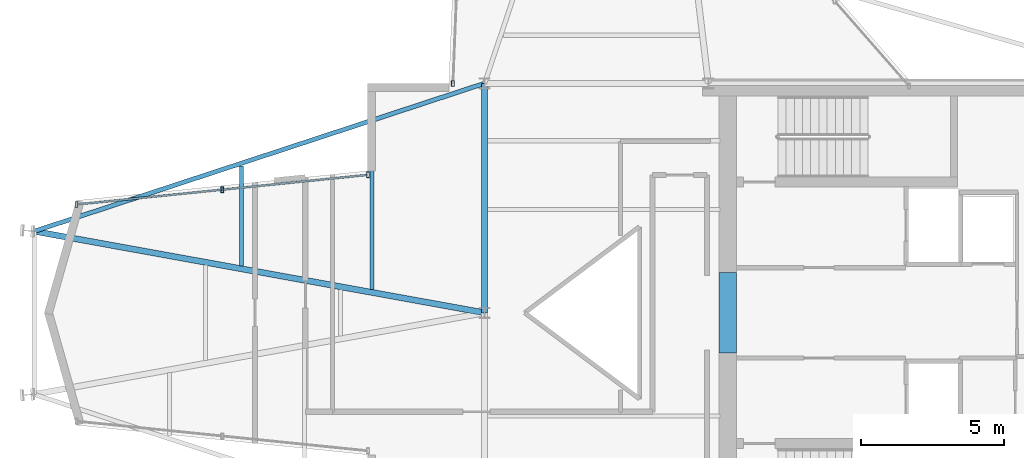
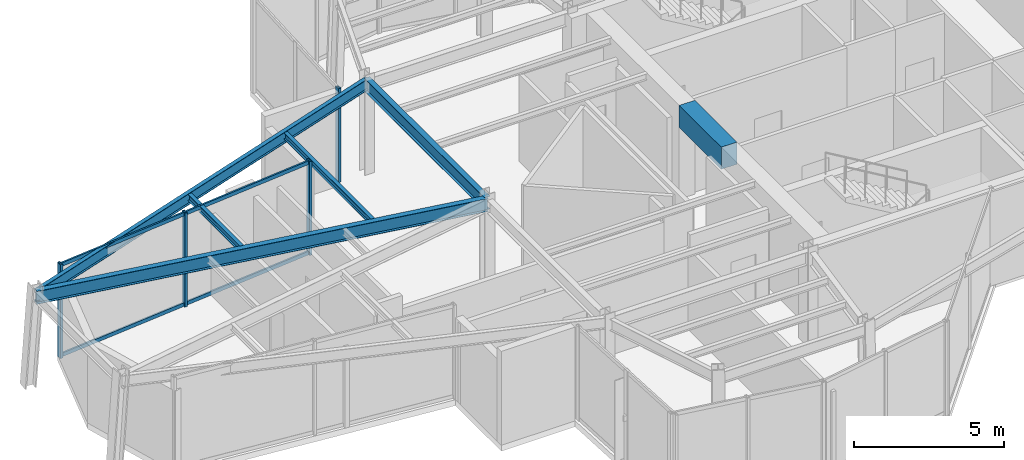
# One storey, part 4 of 13: 6 beams, 6 members, 2 elements without a shape of their own.
"""IFC4 building model written with IfcOpenShell, lengths in metres."""

from ifc_helpers import new_model, si_unit, direction, frame, origin, origin_2d, place, context, subcontext, project, spatial, rectangle, hollow_rectangle, i_section, extrude, material, layer, layer_set, material_profile, profile_set, type_object, element, aggregate, save


model = new_model("IFC4")

# Units and contexts
model_context = context("Model", 3, precision=1e-05, world=origin(), true_north=direction((0.0, 1.0)))
body_context = subcontext(model_context, "Body", "Model", "MODEL_VIEW")
ifc_project = project(units=[si_unit("LENGTHUNIT", "METRE"), si_unit("AREAUNIT", "SQUARE_METRE"), si_unit("VOLUMEUNIT", "CUBIC_METRE"), si_unit("PLANEANGLEUNIT", "RADIAN"), si_unit("MASSUNIT", "GRAM", prefix="KILO")], contexts=[model_context])

# Site, building, storey
site_placement = place(None, origin())
site = spatial("IfcSite", under=ifc_project, at=site_placement, CompositionType="ELEMENT")
building_placement = place(site_placement, origin())
building = spatial("IfcBuilding", under=site, at=building_placement, Name="Veymaron Broadcast Tower", CompositionType="ELEMENT")
storey_placement = place(building_placement, frame((0.0, 0.0, 274.949951171875)))
storey = spatial("IfcBuildingStorey", under=building, at=storey_placement, Name="L64", CompositionType="ELEMENT", Elevation=274.949951171875)

# Beams
ifc_material_1 = material(Name="Concrete C60/75", Category="concrete")
ifc_material_profile_1 = material_profile(ifc_material_1, rectangle(XDim=0.60009765625, YDim=0.89990234375, at=origin_2d()), Name="RC600X900")
ifc_profile_set_1 = profile_set([ifc_material_profile_1], Name="Concrete C60/75")
beam_type_1 = type_object("IfcBeamType", Name="BM-CB2", PredefinedType="LINTEL", material=ifc_profile_set_1)
beam_1_placement = place(storey_placement, frame((39.679931640625, 22.60009765625, 3.360107421875), z_axis=(0.0, 1.0, 0.0), x_axis=(-1.0, 0.0, 0.0)))
element("IfcBeam", 1, at=beam_1_placement, inside=storey, type_object=beam_type_1, Name="L64 Core Wall west coupling beam", PredefinedType="LINTEL", context=body_context, shape_type="SweptSolid", body=[
    extrude(rectangle(XDim=0.60009765625, YDim=0.89990234375, at=origin_2d()), origin(), (0.0, 0.0, 1.0), 2.7998046875),
])
ifc_material_2 = material(Name="Structural steel ASTM A992 Gr 50", Category="steel")
ifc_material_profile_2 = material_profile(ifc_material_2, i_section(OverallWidth=0.208984375, OverallDepth=0.528076171875, WebThickness=0.009521484375, FlangeThickness=0.01318359375, at=origin_2d()), Name="W530X82")
ifc_profile_set_2 = profile_set([ifc_material_profile_2], Name="Structural steel ASTM A992 Gr 50")
beam_type_2 = type_object("IfcBeamType", Name="BM-FG4", PredefinedType="BEAM", material=ifc_profile_set_2)
beam_2_placement = place(storey_placement, frame((31.199951171875, 24.0, 3.546142578125), z_axis=(0.0, 1.0, 0.0), x_axis=(-1.0, 0.0, 0.0)))
element("IfcBeam", 2, at=beam_2_placement, inside=storey, type_object=beam_type_2, Name="L64 primary structural floor girder", PredefinedType="BEAM", context=body_context, shape_type="SweptSolid", body=[
    extrude(i_section(OverallWidth=0.208984375, OverallDepth=0.528076171875, WebThickness=0.009521484375, FlangeThickness=0.01318359375, at=origin_2d()), origin(), (0.0, 0.0, 1.0), 8.0),
])
beam_3_placement = place(storey_placement, frame((15.50048828125, 26.842041015625, 3.546142578125), z_axis=(0.984006484813, -0.178132641159, 0.0), x_axis=(0.178132641159, 0.984006484813, 0.0)))
element("IfcBeam", 3, at=beam_3_placement, inside=storey, type_object=beam_type_2, Name="L64 primary structural floor girder", PredefinedType="BEAM", context=body_context, shape_type="SweptSolid", body=[
    extrude(i_section(OverallWidth=0.208984375, OverallDepth=0.528076171875, WebThickness=0.009521484375, FlangeThickness=0.01318359375, at=origin_2d()), origin(), (0.0, 0.0, 1.0), 15.95458984375),
])
ifc_material_profile_3 = material_profile(ifc_material_2, i_section(OverallWidth=0.14599609375, OverallDepth=0.258056640625, WebThickness=0.006103515625, FlangeThickness=0.009033203125, at=origin_2d()), Name="W250X33")
ifc_profile_set_3 = profile_set([ifc_material_profile_3], Name="Structural steel ASTM A992 Gr 50")
beam_type_3 = type_object("IfcBeamType", Name="BM-JS4", PredefinedType="JOIST", material=ifc_profile_set_3)
beam_4_placement = place(storey_placement, frame((22.72216796875, 25.634765625, 3.68115234375), z_axis=(0.0, 1.0, 0.0), x_axis=(-1.0, 0.0, 0.0)))
element("IfcBeam", 4, at=beam_4_placement, inside=storey, type_object=beam_type_3, Name="L64 Arm-A secondary joist 1N", PredefinedType="JOIST", context=body_context, shape_type="SweptSolid", body=[
    extrude(i_section(OverallWidth=0.14599609375, OverallDepth=0.258056640625, WebThickness=0.006103515625, FlangeThickness=0.009033203125, at=origin_2d()), origin(), (0.0, 0.0, 1.0), 3.47998046875),
])
beam_5_placement = place(storey_placement, frame((27.275146484375, 24.810546875, 3.68115234375), z_axis=(0.0, 1.0, 0.0), x_axis=(-1.0, 0.0, 0.0)))
element("IfcBeam", 5, at=beam_5_placement, inside=storey, type_object=beam_type_3, Name="L64 Arm-A secondary joist 2N", PredefinedType="JOIST", context=body_context, shape_type="SweptSolid", body=[
    extrude(i_section(OverallWidth=0.14599609375, OverallDepth=0.258056640625, WebThickness=0.006103515625, FlangeThickness=0.009033203125, at=origin_2d()), origin(), (0.0, 0.0, 1.0), 5.800048828125),
])
ifc_material_profile_4 = material_profile(ifc_material_2, i_section(OverallWidth=0.154052734375, OverallDepth=0.458984375, WebThickness=0.009033203125, FlangeThickness=0.015380859375, at=origin_2d()), Name="W460X68")
ifc_profile_set_4 = profile_set([ifc_material_profile_4], Name="Structural steel ASTM A992 Gr 50")
beam_type_4 = type_object("IfcBeamType", Name="BM-SP2", PredefinedType="SPANDREL", material=ifc_profile_set_4)
beam_6_placement = place(storey_placement, frame((15.50048828125, 26.842041015625, 3.58056640625), z_axis=(0.950039572492, 0.31212947746, 0.0), x_axis=(-0.31212947746, 0.950039572492, 0.0)))
element("IfcBeam", 6, at=beam_6_placement, inside=storey, type_object=beam_type_4, Name="L64 primary structural floor girder", PredefinedType="SPANDREL", context=body_context, shape_type="SweptSolid", body=[
    extrude(i_section(OverallWidth=0.154052734375, OverallDepth=0.458984375, WebThickness=0.009033203125, FlangeThickness=0.015380859375, at=origin_2d()), origin(), (0.0, 0.0, 1.0), 16.525146484375),
])

# Curtain wall, member
ifc_material_3 = material(Name="Anodised aluminium AA 6063-T6 and laminated low-E dark glass", Category="aluminium")
ifc_layer = layer(ifc_material_3, 0.179931640625)
ifc_layer_set = layer_set([ifc_layer], Name="Anodised aluminium AA 6063-T6 and laminated low-E dark glass")
curtain_wall_type = type_object("IfcCurtainWallType", Name="CW-SYS-06", PredefinedType="NOTDEFINED", material=ifc_layer_set)
curtain_wall_1_placement = place(storey_placement, origin())
curtain_wall_1 = element("IfcCurtainWall", 7, at=curtain_wall_1_placement, inside=storey, type_object=curtain_wall_type, Name="L64 dark-glass curtain wall CW-L64-E8-1", PredefinedType="NOTDEFINED")
ifc_material_4 = material(Name="Anodised aluminium AA 6063-T6", Category="aluminium")
ifc_material_profile_5 = material_profile(ifc_material_4, hollow_rectangle(XDim=0.10009765625, YDim=0.199951171875, WallThickness=0.010009765625, at=origin_2d()), Name="RHS200X100X10")
ifc_profile_set_5 = profile_set([ifc_material_profile_5], Name="Anodised aluminium AA 6063-T6")
member_type_1 = type_object("IfcMemberType", Name="CW-MUL-01", PredefinedType="MULLION", material=ifc_profile_set_5)
member_1_placement = place(storey_placement, frame((30.093505859375, 31.994384765625, 0.0), z_axis=(0.0, 0.0, 1.0), x_axis=(1.0, 0.0, 0.0)))
member_1 = element("IfcMember", 8, at=member_1_placement, type_object=member_type_1, Name="CW-L64-E8-1 mullion 2", PredefinedType="MULLION", context=body_context, shape_type="SweptSolid", body=[
    extrude(hollow_rectangle(XDim=0.10009765625, YDim=0.199951171875, WallThickness=0.010009765625, at=origin_2d()), origin(), (0.0, 0.0, 1.0), 3.81005859375),
])
aggregate(curtain_wall_1, [member_1])

# Curtain wall, members
curtain_wall_2_placement = place(storey_placement, origin())
curtain_wall_2 = element("IfcCurtainWall", 9, at=curtain_wall_2_placement, inside=storey, type_object=curtain_wall_type, Name="L64 dark-glass curtain wall CW-L64-E11-1", PredefinedType="NOTDEFINED")
member_2_placement = place(storey_placement, frame((27.1357421875, 28.8095703125, 0.0), z_axis=(0.0, 0.0, 1.0), x_axis=(1.0, 0.0, 0.0)))
member_2 = element("IfcMember", 10, at=member_2_placement, type_object=member_type_1, Name="CW-L64-E11-1 mullion 0", PredefinedType="MULLION", context=body_context, shape_type="SweptSolid", body=[
    extrude(hollow_rectangle(XDim=0.10009765625, YDim=0.199951171875, WallThickness=0.010009765625, at=origin_2d()), origin(), (0.0, 0.0, 1.0), 3.81005859375),
])
member_3_placement = place(storey_placement, frame((22.054931640625, 28.29296875, 0.0), z_axis=(0.0, 0.0, 1.0), x_axis=(1.0, 0.0, 0.0)))
member_3 = element("IfcMember", 11, at=member_3_placement, type_object=member_type_1, Name="CW-L64-E11-1 mullion 1", PredefinedType="MULLION", context=body_context, shape_type="SweptSolid", body=[
    extrude(hollow_rectangle(XDim=0.10009765625, YDim=0.199951171875, WallThickness=0.010009765625, at=origin_2d()), origin(), (0.0, 0.0, 1.0), 3.81005859375),
])
member_4_placement = place(storey_placement, frame((16.97412109375, 27.7763671875, 0.0), z_axis=(0.0, 0.0, 1.0), x_axis=(1.0, 0.0, 0.0)))
member_4 = element("IfcMember", 12, at=member_4_placement, type_object=member_type_1, Name="CW-L64-E11-1 mullion 2", PredefinedType="MULLION", context=body_context, shape_type="SweptSolid", body=[
    extrude(hollow_rectangle(XDim=0.10009765625, YDim=0.199951171875, WallThickness=0.010009765625, at=origin_2d()), origin(), (0.0, 0.0, 1.0), 3.81005859375),
])
ifc_material_profile_6 = material_profile(ifc_material_4, hollow_rectangle(XDim=0.06494140625, YDim=0.14990234375, WallThickness=0.00390625, at=origin_2d()), Name="AL150X65X4")
ifc_profile_set_6 = profile_set([ifc_material_profile_6], Name="Anodised aluminium AA 6063-T6")
member_type_2 = type_object("IfcMemberType", Name="CW-TRN-01", PredefinedType="USERDEFINED", material=ifc_profile_set_6)
member_5_placement = place(storey_placement, frame((27.086181640625, 28.804443359375, 0.070068359375), z_axis=(-0.994872131197, -0.101140706775, 0.0), x_axis=(0.101140706775, -0.994872131197, 0.0)))
member_5 = element("IfcMember", 13, at=member_5_placement, type_object=member_type_2, Name="CW-L64-E11-1 transom B", ObjectType="TRANSOM", PredefinedType="USERDEFINED", context=body_context, shape_type="SweptSolid", body=[
    extrude(hollow_rectangle(XDim=0.06494140625, YDim=0.14990234375, WallThickness=0.00390625, at=origin_2d()), origin(), (0.0, 0.0, 1.0), 10.114013671875),
])
member_6_placement = place(storey_placement, frame((27.086181640625, 28.804443359375, 3.739990234375), z_axis=(-0.994872131197, -0.101140706775, 0.0), x_axis=(0.101140706775, -0.994872131197, 0.0)))
member_6 = element("IfcMember", 14, at=member_6_placement, type_object=member_type_2, Name="CW-L64-E11-1 transom T", ObjectType="TRANSOM", PredefinedType="USERDEFINED", context=body_context, shape_type="SweptSolid", body=[
    extrude(hollow_rectangle(XDim=0.06494140625, YDim=0.14990234375, WallThickness=0.00390625, at=origin_2d()), origin(), (0.0, 0.0, 1.0), 10.114013671875),
])
aggregate(curtain_wall_2, [member_2, member_3, member_4, member_5, member_6])

save(model, "model.ifc")
